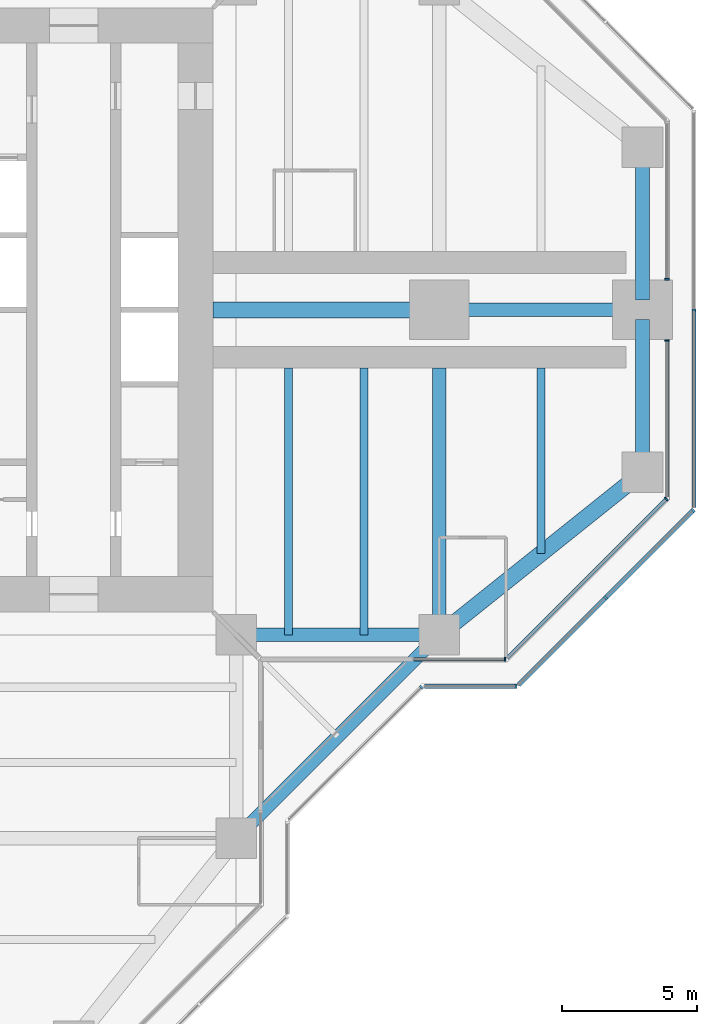
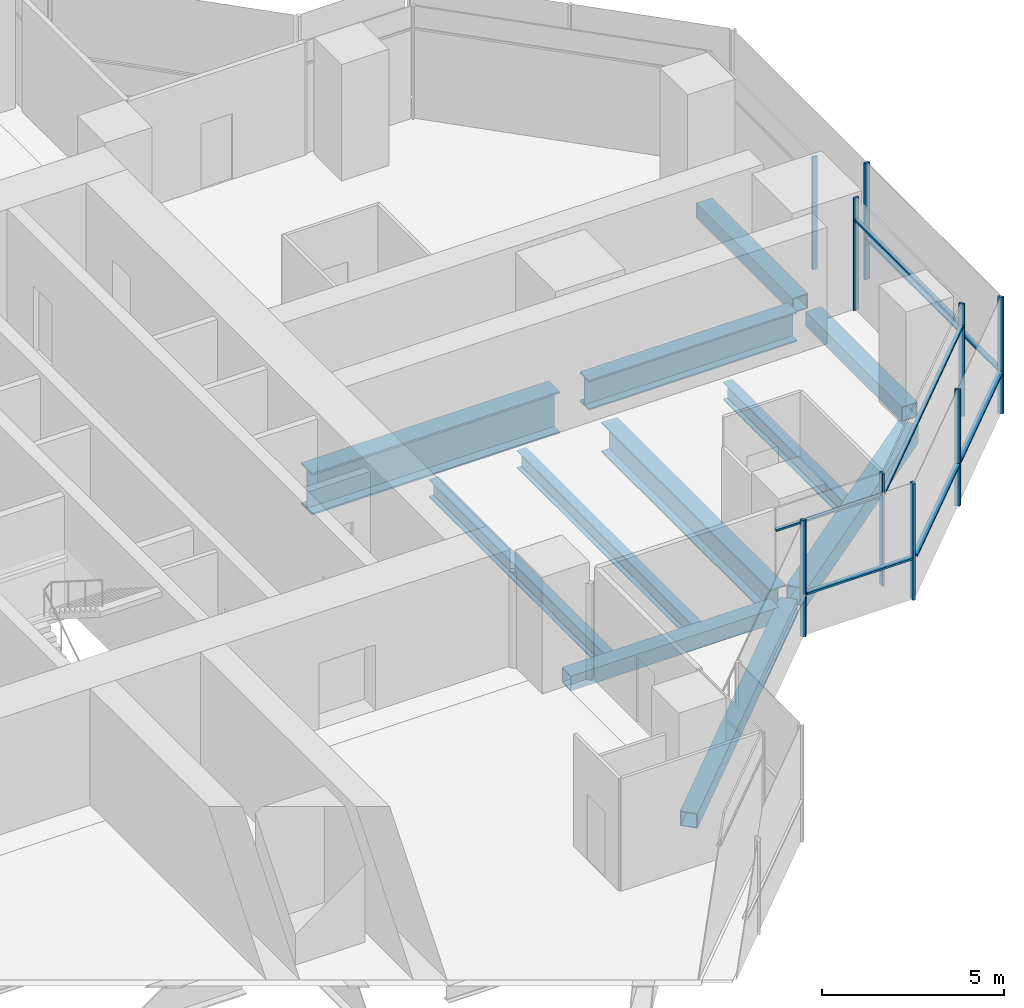
# One storey, part 5 of 17: 16 members, 11 beams, 8 elements without a shape of their own.
"""IFC4 building model written with IfcOpenShell, lengths in metres."""

from ifc_helpers import new_model, si_unit, direction, frame, origin, origin_2d, place, context, subcontext, project, spatial, rectangle, hollow_rectangle, i_section, extrude, material, material_profile, profile_set, type_object, element, aggregate, save


model = new_model("IFC4")

# Units and contexts
model_context = context("Model", 3, precision=1e-05, world=origin(), true_north=direction((0.0, 1.0)))
body_context = subcontext(model_context, "Body", "Model", "MODEL_VIEW")
ifc_project = project(units=[si_unit("LENGTHUNIT", "METRE"), si_unit("AREAUNIT", "SQUARE_METRE"), si_unit("VOLUMEUNIT", "CUBIC_METRE"), si_unit("PLANEANGLEUNIT", "RADIAN"), si_unit("MASSUNIT", "GRAM", prefix="KILO")], contexts=[model_context])

# Site, building, storey
site_placement = place(None, origin())
site = spatial("IfcSite", under=ifc_project, at=site_placement, CompositionType="ELEMENT")
building_placement = place(site_placement, origin())
building = spatial("IfcBuilding", under=site, at=building_placement, Name="Mizan Broadcast Tower", CompositionType="ELEMENT")
storey_placement = place(building_placement, frame((0.0, 0.0, 259.5)))
storey = spatial("IfcBuildingStorey", under=building, at=storey_placement, Name="L61", CompositionType="ELEMENT", Elevation=259.5)

# Beams
ifc_material_1 = material(Name="Steel S355", Category="steel")
ifc_material_profile_1 = material_profile(ifc_material_1, hollow_rectangle(XDim=0.5, YDim=0.5, WallThickness=0.030029296875, at=origin_2d()), Name="BOX 500x500x30")
ifc_profile_set_1 = profile_set([ifc_material_profile_1], Name="Steel S355")
beam_type_1 = type_object("IfcBeamType", Name="EDGE BEAM BOX 500x500x30", PredefinedType="SPANDREL", material=ifc_profile_set_1)
beam_1_placement = place(storey_placement, frame((12.449951171875, -12.0, -0.3798828125), z_axis=(1.0, 0.0, 0.0), x_axis=(0.0, 1.0, 0.0)))
element("IfcBeam", 1, at=beam_1_placement, inside=storey, type_object=beam_type_1, Name="Edge beam BOX 500x500x30 L61 east arm", PredefinedType="SPANDREL", context=body_context, shape_type="SweptSolid", body=[
    extrude(hollow_rectangle(XDim=0.5, YDim=0.5, WallThickness=0.030029296875, at=origin_2d()), origin(), (0.0, 0.0, 1.0), 6.60009765625),
])
for number, where, z_axis, x_axis, name in (
    (2, (27.0, -5.639892578125, -0.3798828125), (0.0, 1.0, 0.0), (-1.0, 0.0, 0.0), "Edge beam BOX 500x500x30 L61 east arm"),
    (3, (27.0, 5.639892578125, -0.3798828125), (0.0, -1.0, 0.0), (1.0, 0.0, 0.0), "Edge beam BOX 500x500x30 L61 east arm"),
):
    element("IfcBeam", number, at=place(storey_placement, frame(where, z_axis=z_axis, x_axis=x_axis)), inside=storey, type_object=beam_type_1, Name=name, PredefinedType="SPANDREL", context=body_context, shape_type="SweptSolid", body=[
        extrude(hollow_rectangle(XDim=0.5, YDim=0.5, WallThickness=0.030029296875, at=origin_2d()), origin(), (0.0, 0.0, 1.0), 5.27978515625),
    ])
beam_2_placement = place(storey_placement, frame((12.0, -19.5, -0.3798828125), z_axis=(0.707106781187, 0.707106781187, 0.0), x_axis=(-0.707106781187, 0.707106781187, 0.0)))
element("IfcBeam", 4, at=beam_2_placement, inside=storey, type_object=beam_type_1, Name="Winter garden edge beam L61 S", PredefinedType="SPANDREL", context=body_context, shape_type="SweptSolid", body=[
    extrude(hollow_rectangle(XDim=0.5, YDim=0.5, WallThickness=0.030029296875, at=origin_2d()), origin(), (0.0, 0.0, 1.0), 10.606689453125),
])
ifc_material_2 = material(Name="Steel S355", Category="steel")
ifc_material_profile_2 = material_profile(ifc_material_2, hollow_rectangle(XDim=0.60009765625, YDim=0.60009765625, WallThickness=0.030029296875, at=origin_2d()), Name="BOX 600x600x30")
ifc_profile_set_2 = profile_set([ifc_material_profile_2], Name="Steel S355")
beam_type_2 = type_object("IfcBeamType", Name="EDGE BEAM BOX 600x600x30", PredefinedType="SPANDREL", material=ifc_profile_set_2)
beam_3_placement = place(storey_placement, frame((19.949951171875, -11.639892578125, -0.429931640625), z_axis=(0.780885717636, 0.624673911726, 0.0), x_axis=(-0.624673911726, 0.780885717636, 0.0)))
element("IfcBeam", 5, at=beam_3_placement, inside=storey, type_object=beam_type_2, Name="Edge beam BOX 600x600x30 L61 east arm", PredefinedType="SPANDREL", context=body_context, shape_type="SweptSolid", body=[
    extrude(hollow_rectangle(XDim=0.60009765625, YDim=0.60009765625, WallThickness=0.030029296875, at=origin_2d()), origin(), (0.0, 0.0, 1.0), 8.4521484375),
])
ifc_material_3 = material(Name="Steel S460", Category="steel")
ifc_material_profile_3 = material_profile(ifc_material_3, i_section(OverallWidth=0.5, OverallDepth=1.0, WebThickness=0.02490234375, FlangeThickness=0.050048828125, at=origin_2d()), Name="WPG 1000x500")
ifc_profile_set_3 = profile_set([ifc_material_profile_3], Name="Steel S460")
beam_type_3 = type_object("IfcBeamType", Name="GIRDER WPG 1000x500", PredefinedType="BEAM", material=ifc_profile_set_3)
beam_4_placement = place(storey_placement, frame((19.949951171875, 0.0, -0.6298828125), z_axis=(1.0, 0.0, 0.0), x_axis=(0.0, 1.0, 0.0)))
element("IfcBeam", 6, at=beam_4_placement, inside=storey, type_object=beam_type_3, Name="Girder WPG 1000x500 L61 east arm", PredefinedType="BEAM", context=body_context, shape_type="SweptSolid", body=[
    extrude(i_section(OverallWidth=0.5, OverallDepth=1.0, WebThickness=0.02490234375, FlangeThickness=0.050048828125, at=origin_2d()), origin(), (0.0, 0.0, 1.0), 6.60009765625),
])
beam_5_placement = place(storey_placement, frame((19.5, -11.408935546875, -0.6298828125), z_axis=(0.0, 1.0, 0.0), x_axis=(-1.0, 0.0, 0.0)))
element("IfcBeam", 7, at=beam_5_placement, inside=storey, type_object=beam_type_3, Name="Girder WPG 1000x500 L61 east arm", PredefinedType="BEAM", context=body_context, shape_type="SweptSolid", body=[
    extrude(i_section(OverallWidth=0.5, OverallDepth=1.0, WebThickness=0.02490234375, FlangeThickness=0.050048828125, at=origin_2d()), origin(), (0.0, 0.0, 1.0), 9.259033203125),
])
ifc_material_4 = material(Name="Steel S460", Category="steel")
ifc_material_profile_4 = material_profile(ifc_material_4, i_section(OverallWidth=0.60009765625, OverallDepth=1.39990234375, WebThickness=0.02490234375, FlangeThickness=0.06005859375, at=origin_2d()), Name="WPG 1400x600")
ifc_profile_set_4 = profile_set([ifc_material_profile_4], Name="Steel S460")
beam_type_4 = type_object("IfcBeamType", Name="GIRDER WPG 1400x600", PredefinedType="BEAM", material=ifc_profile_set_4)
beam_6_placement = place(storey_placement, frame((11.14990234375, 0.0, -0.830078125), z_axis=(1.0, 0.0, 0.0), x_axis=(0.0, 1.0, 0.0)))
element("IfcBeam", 8, at=beam_6_placement, inside=storey, type_object=beam_type_4, Name="Girder WPG 1400x600 L61 east arm", PredefinedType="BEAM", context=body_context, shape_type="SweptSolid", body=[
    extrude(i_section(OverallWidth=0.60009765625, OverallDepth=1.39990234375, WebThickness=0.02490234375, FlangeThickness=0.06005859375, at=origin_2d()), origin(), (0.0, 0.0, 1.0), 7.84912109375),
])

# Curtain wall, member
ifc_material_5 = material(Name="Aluminium framed glazing", Category="aluminium")
curtain_wall_type_1 = type_object("IfcCurtainWallType", Name="INNER SKIN HIGH ZONE", PredefinedType="USERDEFINED", material=ifc_material_5)
curtain_wall_1_placement = place(storey_placement, origin())
curtain_wall_1 = element("IfcCurtainWall", 9, at=curtain_wall_1_placement, inside=storey, type_object=curtain_wall_type_1, Name="Inner skin high zone L61 E side", ObjectType="INNER SKIN HIGH ZONE", PredefinedType="USERDEFINED")
ifc_material_6 = material(Name="Aluminium, pale anodised", Category="aluminium")
ifc_material_profile_5 = material_profile(ifc_material_6, rectangle(XDim=0.159912109375, YDim=0.06005859375, at=origin_2d()), Name="MULLION 160x60")
ifc_profile_set_5 = profile_set([ifc_material_profile_5], Name="Aluminium, pale anodised")
member_type_1 = type_object("IfcMemberType", Name="INNER SKIN MULLION 60x160", PredefinedType="MULLION", material=ifc_profile_set_5)
member_1_placement = place(storey_placement, frame((21.928466796875, -12.89990234375, 0.0), z_axis=(0.0, 0.0, 1.0), x_axis=(0.0, 1.0, 0.0)))
member_1 = element("IfcMember", 10, at=member_1_placement, type_object=member_type_1, Name="Inner skin high zone L61 E side mullion 2", PredefinedType="MULLION", context=body_context, shape_type="SweptSolid", body=[
    extrude(rectangle(XDim=0.159912109375, YDim=0.06005859375, at=origin_2d()), origin(), (0.0, 0.0, 1.0), 3.77001953125),
])

curtain_wall_2_placement = place(storey_placement, origin())
curtain_wall_2 = element("IfcCurtainWall", 11, at=curtain_wall_2_placement, inside=storey, type_object=curtain_wall_type_1, Name="Inner skin high zone L61 E chamfer", ObjectType="INNER SKIN HIGH ZONE", PredefinedType="USERDEFINED")
member_2_placement = place(storey_placement, frame((27.87890625, -6.979736328125, 0.0), z_axis=(0.0, 0.0, 1.0), x_axis=(-0.707106781187, 0.707106781187, 0.0)))
member_2 = element("IfcMember", 12, at=member_2_placement, type_object=member_type_1, Name="Inner skin high zone L61 E chamfer mullion 2", PredefinedType="MULLION", context=body_context, shape_type="SweptSolid", body=[
    extrude(rectangle(XDim=0.159912109375, YDim=0.06005859375, at=origin_2d()), origin(), (0.0, 0.0, 1.0), 3.77001953125),
])

curtain_wall_3_placement = place(storey_placement, origin())
curtain_wall_3 = element("IfcCurtainWall", 13, at=curtain_wall_3_placement, inside=storey, type_object=curtain_wall_type_1, Name="Inner skin high zone L61 E end", ObjectType="INNER SKIN HIGH ZONE", PredefinedType="USERDEFINED")
member_3_placement = place(storey_placement, frame((27.89990234375, -1.1298828125, 0.0), z_axis=(0.0, 0.0, 1.0), x_axis=(-1.0, 0.0, 0.0)))
member_3 = element("IfcMember", 14, at=member_3_placement, type_object=member_type_1, Name="Inner skin high zone L61 E end mullion 2", PredefinedType="MULLION", context=body_context, shape_type="SweptSolid", body=[
    extrude(rectangle(XDim=0.159912109375, YDim=0.06005859375, at=origin_2d()), origin(), (0.0, 0.0, 1.0), 3.77001953125),
])

curtain_wall_4_placement = place(storey_placement, origin())
curtain_wall_4 = element("IfcCurtainWall", 15, at=curtain_wall_4_placement, inside=storey, type_object=curtain_wall_type_1, Name="Inner skin high zone L61 E end", ObjectType="INNER SKIN HIGH ZONE", PredefinedType="USERDEFINED")
member_4_placement = place(storey_placement, frame((27.89990234375, 1.1298828125, 0.0), z_axis=(0.0, 0.0, 1.0), x_axis=(-1.0, 0.0, 0.0)))
member_4 = element("IfcMember", 16, at=member_4_placement, type_object=member_type_1, Name="Inner skin high zone L61 E end mullion 1", PredefinedType="MULLION", context=body_context, shape_type="SweptSolid", body=[
    extrude(rectangle(XDim=0.159912109375, YDim=0.06005859375, at=origin_2d()), origin(), (0.0, 0.0, 1.0), 3.77001953125),
])
aggregate(curtain_wall_4, [member_4])

# Member
ifc_material_7 = material(Name="Aluminium, pale anodised", Category="aluminium")
ifc_material_profile_6 = material_profile(ifc_material_7, rectangle(XDim=0.1201171875, YDim=0.06005859375, at=origin_2d()), Name="TRANSOM 120x60")
ifc_profile_set_6 = profile_set([ifc_material_profile_6], Name="Aluminium, pale anodised")
member_type_2 = type_object("IfcMemberType", Name="INNER SKIN TRANSOM 60x120", PredefinedType="USERDEFINED", material=ifc_profile_set_6)
member_5_placement = place(storey_placement, frame((18.56005859375, -12.89990234375, 3.030029296875), z_axis=(1.0, 0.0, 0.0), x_axis=(0.0, 1.0, 0.0)))
member_5 = element("IfcMember", 17, at=member_5_placement, type_object=member_type_2, Name="Inner skin high zone L61 E side transom 1.1", ObjectType="TRANSOM", PredefinedType="USERDEFINED", context=body_context, shape_type="SweptSolid", body=[
    extrude(rectangle(XDim=0.1201171875, YDim=0.06005859375, at=origin_2d()), origin(), (0.0, 0.0, 1.0), 3.338623046875),
])

aggregate(curtain_wall_1, [member_1, member_5])

member_6_placement = place(storey_placement, frame((22.0009765625, -12.857666015625, 3.030029296875), z_axis=(0.707106781187, 0.707106781187, 0.0), x_axis=(-0.707106781187, 0.707106781187, 0.0)))
member_6 = element("IfcMember", 18, at=member_6_placement, type_object=member_type_2, Name="Inner skin high zone L61 E chamfer transom 1.1", ObjectType="TRANSOM", PredefinedType="USERDEFINED", context=body_context, shape_type="SweptSolid", body=[
    extrude(rectangle(XDim=0.1201171875, YDim=0.06005859375, at=origin_2d()), origin(), (0.0, 0.0, 1.0), 8.28271484375),
])

aggregate(curtain_wall_2, [member_2, member_6])

member_7_placement = place(storey_placement, frame((27.89990234375, -6.898681640625, 3.030029296875), z_axis=(0.0, 1.0, 0.0), x_axis=(-1.0, 0.0, 0.0)))
member_7 = element("IfcMember", 19, at=member_7_placement, type_object=member_type_2, Name="Inner skin high zone L61 E end transom 1.1", ObjectType="TRANSOM", PredefinedType="USERDEFINED", context=body_context, shape_type="SweptSolid", body=[
    extrude(rectangle(XDim=0.1201171875, YDim=0.06005859375, at=origin_2d()), origin(), (0.0, 0.0, 1.0), 5.73876953125),
])

aggregate(curtain_wall_3, [member_3, member_7])

# Curtain wall, members
ifc_material_8 = material(Name="Aluminium framed glazing", Category="aluminium")
curtain_wall_type_2 = type_object("IfcCurtainWallType", Name="OUTER SKIN", PredefinedType="USERDEFINED", material=ifc_material_8)
curtain_wall_5_placement = place(storey_placement, origin())
curtain_wall_5 = element("IfcCurtainWall", 20, at=curtain_wall_5_placement, inside=storey, type_object=curtain_wall_type_2, Name="Outer skin L61 E chamfer", ObjectType="OUTER SKIN", PredefinedType="USERDEFINED")
ifc_material_9 = material(Name="Aluminium, pale anodised", Category="aluminium")
ifc_material_profile_7 = material_profile(ifc_material_9, rectangle(XDim=0.159912109375, YDim=0.080078125, at=origin_2d()), Name="MULLION 160x80")
ifc_profile_set_7 = profile_set([ifc_material_profile_7], Name="Aluminium, pale anodised")
member_type_3 = type_object("IfcMemberType", Name="OUTER SKIN MULLION 80x160", PredefinedType="MULLION", material=ifc_profile_set_7)
member_8_placement = place(storey_placement, frame((25.636474609375, -10.636474609375, 0.0), z_axis=(0.0, 0.0, 1.0), x_axis=(-0.707106781187, 0.707106781187, 0.0)))
member_8 = element("IfcMember", 21, at=member_8_placement, type_object=member_type_3, Name="Outer skin L61 E chamfer mullion 2", PredefinedType="MULLION", context=body_context, shape_type="SweptSolid", body=[
    extrude(rectangle(XDim=0.159912109375, YDim=0.080078125, at=origin_2d()), origin(), (0.0, 0.0, 1.0), 3.89990234375),
])
member_9_placement = place(storey_placement, frame((28.871826171875, -7.401123046875, 0.0), z_axis=(0.0, 0.0, 1.0), x_axis=(-0.707106781187, 0.707106781187, 0.0)))
member_9 = element("IfcMember", 22, at=member_9_placement, type_object=member_type_3, Name="Outer skin L61 E chamfer mullion 3", PredefinedType="MULLION", context=body_context, shape_type="SweptSolid", body=[
    extrude(rectangle(XDim=0.159912109375, YDim=0.080078125, at=origin_2d()), origin(), (0.0, 0.0, 1.0), 3.89990234375),
])

# Curtain wall, member
curtain_wall_6_placement = place(storey_placement, origin())
curtain_wall_6 = element("IfcCurtainWall", 23, at=curtain_wall_6_placement, inside=storey, type_object=curtain_wall_type_2, Name="Outer skin L61 E end", ObjectType="OUTER SKIN", PredefinedType="USERDEFINED")
member_10_placement = place(storey_placement, frame((28.89990234375, 0.0, 0.0), z_axis=(0.0, 0.0, 1.0), x_axis=(-1.0, 0.0, 0.0)))
member_10 = element("IfcMember", 24, at=member_10_placement, type_object=member_type_3, Name="Outer skin L61 E end mullion 2", PredefinedType="MULLION", context=body_context, shape_type="SweptSolid", body=[
    extrude(rectangle(XDim=0.159912109375, YDim=0.080078125, at=origin_2d()), origin(), (0.0, 0.0, 1.0), 3.89990234375),
])

curtain_wall_7_placement = place(storey_placement, origin())
curtain_wall_7 = element("IfcCurtainWall", 25, at=curtain_wall_7_placement, inside=storey, type_object=curtain_wall_type_2, Name="Outer skin L61 E chamfer", ObjectType="OUTER SKIN", PredefinedType="USERDEFINED")
member_11_placement = place(storey_placement, frame((18.844482421875, -13.92822265625, 0.0), z_axis=(0.0, 0.0, 1.0), x_axis=(-0.707106781187, 0.707106781187, 0.0)))
member_11 = element("IfcMember", 26, at=member_11_placement, type_object=member_type_3, Name="Outer skin L61 E chamfer mullion 2", PredefinedType="MULLION", context=body_context, shape_type="SweptSolid", body=[
    extrude(rectangle(XDim=0.159912109375, YDim=0.080078125, at=origin_2d()), origin(), (0.0, 0.0, 1.0), 3.89990234375),
])
aggregate(curtain_wall_7, [member_11])

curtain_wall_8_placement = place(storey_placement, origin())
curtain_wall_8 = element("IfcCurtainWall", 27, at=curtain_wall_8_placement, inside=storey, type_object=curtain_wall_type_2, Name="Outer skin L61 E side", ObjectType="OUTER SKIN", PredefinedType="USERDEFINED")
member_12_placement = place(storey_placement, frame((22.332763671875, -13.89990234375, 0.0), z_axis=(0.0, 0.0, 1.0), x_axis=(0.0, 1.0, 0.0)))
member_12 = element("IfcMember", 28, at=member_12_placement, type_object=member_type_3, Name="Outer skin L61 E side mullion 2", PredefinedType="MULLION", context=body_context, shape_type="SweptSolid", body=[
    extrude(rectangle(XDim=0.159912109375, YDim=0.080078125, at=origin_2d()), origin(), (0.0, 0.0, 1.0), 3.89990234375),
])

# Member
ifc_material_10 = material(Name="Aluminium, pale anodised", Category="aluminium")
ifc_material_profile_8 = material_profile(ifc_material_10, rectangle(XDim=0.159912109375, YDim=0.06005859375, at=origin_2d()), Name="TRANSOM 160x60")
ifc_profile_set_8 = profile_set([ifc_material_profile_8], Name="Aluminium, pale anodised")
member_type_4 = type_object("IfcMemberType", Name="OUTER SKIN TRANSOM 60x160", PredefinedType="USERDEFINED", material=ifc_profile_set_8)
member_13_placement = place(storey_placement, frame((22.429443359375, -13.843505859375, 1.39990234375), z_axis=(0.707106781187, 0.707106781187, 0.0), x_axis=(-0.707106781187, 0.707106781187, 0.0)))
member_13 = element("IfcMember", 29, at=member_13_placement, type_object=member_type_4, Name="Outer skin L61 E chamfer transom 1.1", ObjectType="TRANSOM", PredefinedType="USERDEFINED", context=body_context, shape_type="SweptSolid", body=[
    extrude(rectangle(XDim=0.159912109375, YDim=0.06005859375, at=origin_2d()), origin(), (0.0, 0.0, 1.0), 4.495361328125),
])

member_14_placement = place(storey_placement, frame((25.664794921875, -10.608154296875, 1.39990234375), z_axis=(0.707106781187, 0.707106781187, 0.0), x_axis=(-0.707106781187, 0.707106781187, 0.0)))
member_14 = element("IfcMember", 30, at=member_14_placement, type_object=member_type_4, Name="Outer skin L61 E chamfer transom 2.1", ObjectType="TRANSOM", PredefinedType="USERDEFINED", context=body_context, shape_type="SweptSolid", body=[
    extrude(rectangle(XDim=0.159912109375, YDim=0.06005859375, at=origin_2d()), origin(), (0.0, 0.0, 1.0), 4.495361328125),
])

aggregate(curtain_wall_5, [member_8, member_9, member_13, member_14])

member_15_placement = place(storey_placement, frame((28.89990234375, -7.292724609375, 1.39990234375), z_axis=(0.0, 1.0, 0.0), x_axis=(-1.0, 0.0, 0.0)))
member_15 = element("IfcMember", 31, at=member_15_placement, type_object=member_type_4, Name="Outer skin L61 E end transom 1.1", ObjectType="TRANSOM", PredefinedType="USERDEFINED", context=body_context, shape_type="SweptSolid", body=[
    extrude(rectangle(XDim=0.159912109375, YDim=0.06005859375, at=origin_2d()), origin(), (0.0, 0.0, 1.0), 7.252685546875),
])

aggregate(curtain_wall_6, [member_10, member_15])

member_16_placement = place(storey_placement, frame((18.952880859375, -13.89990234375, 1.39990234375), z_axis=(1.0, 0.0, 0.0), x_axis=(0.0, 1.0, 0.0)))
member_16 = element("IfcMember", 32, at=member_16_placement, type_object=member_type_4, Name="Outer skin L61 E side transom 1.1", ObjectType="TRANSOM", PredefinedType="USERDEFINED", context=body_context, shape_type="SweptSolid", body=[
    extrude(rectangle(XDim=0.159912109375, YDim=0.06005859375, at=origin_2d()), origin(), (0.0, 0.0, 1.0), 3.33984375),
])

aggregate(curtain_wall_8, [member_12, member_16])

# Beams
ifc_material_11 = material(Name="Steel S355", Category="steel")
ifc_material_profile_9 = material_profile(ifc_material_11, i_section(OverallWidth=0.300048828125, OverallDepth=0.590087890625, WebThickness=0.012939453125, FlangeThickness=0.02490234375, FilletRadius=0.027099609375, at=origin_2d()), Name="HEA 600")
ifc_profile_set_9 = profile_set([ifc_material_profile_9], Name="Steel S355")
beam_type_5 = type_object("IfcBeamType", Name="SECONDARY BEAM HEA 600", PredefinedType="JOIST", material=ifc_profile_set_9)
for number, where, z_axis, x_axis, name in (
    (33, (13.933349609375, -12.0, -0.425048828125), (0.0, 1.0, 0.0), (-1.0, 0.0, 0.0), "Secondary beam HEA 600 L61 east arm"),
    (34, (16.716552734375, -12.0, -0.425048828125), (0.0, 1.0, 0.0), (-1.0, 0.0, 0.0), "Secondary beam HEA 600 L61 east arm"),
):
    element("IfcBeam", number, at=place(storey_placement, frame(where, z_axis=z_axis, x_axis=x_axis)), inside=storey, type_object=beam_type_5, Name=name, PredefinedType="JOIST", context=body_context, shape_type="SweptSolid", body=[
        extrude(i_section(OverallWidth=0.300048828125, OverallDepth=0.590087890625, WebThickness=0.012939453125, FlangeThickness=0.02490234375, FilletRadius=0.027099609375, at=origin_2d()), origin(), (0.0, 0.0, 1.0), 9.85009765625),
    ])
beam_7_placement = place(storey_placement, frame((23.25, -9.0, -0.425048828125), z_axis=(0.0, 1.0, 0.0), x_axis=(-1.0, 0.0, 0.0)))
element("IfcBeam", 35, at=beam_7_placement, inside=storey, type_object=beam_type_5, Name="Secondary beam HEA 600 L61 east arm", PredefinedType="JOIST", context=body_context, shape_type="SweptSolid", body=[
    extrude(i_section(OverallWidth=0.300048828125, OverallDepth=0.590087890625, WebThickness=0.012939453125, FlangeThickness=0.02490234375, FilletRadius=0.027099609375, at=origin_2d()), origin(), (0.0, 0.0, 1.0), 6.85009765625),
])

save(model, "model.ifc")
